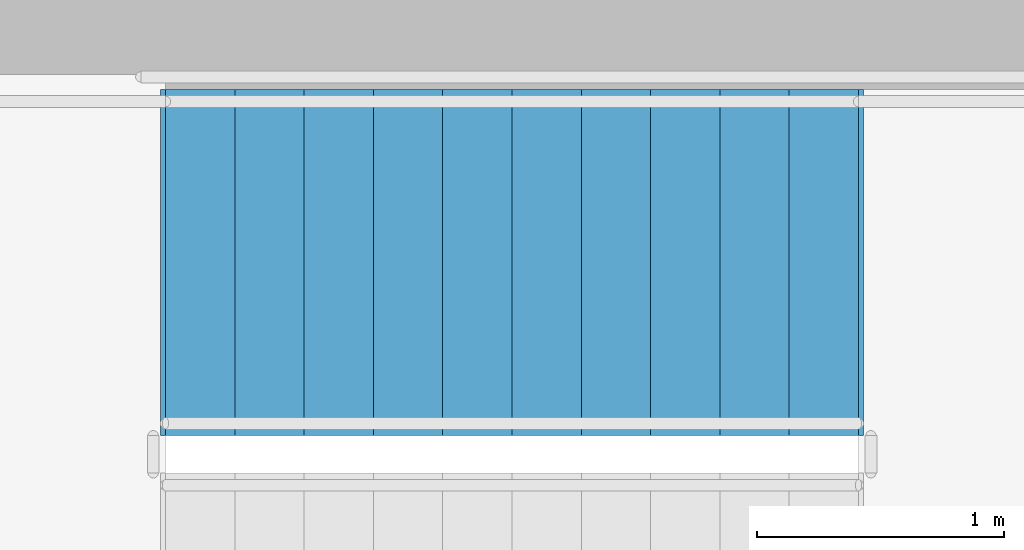
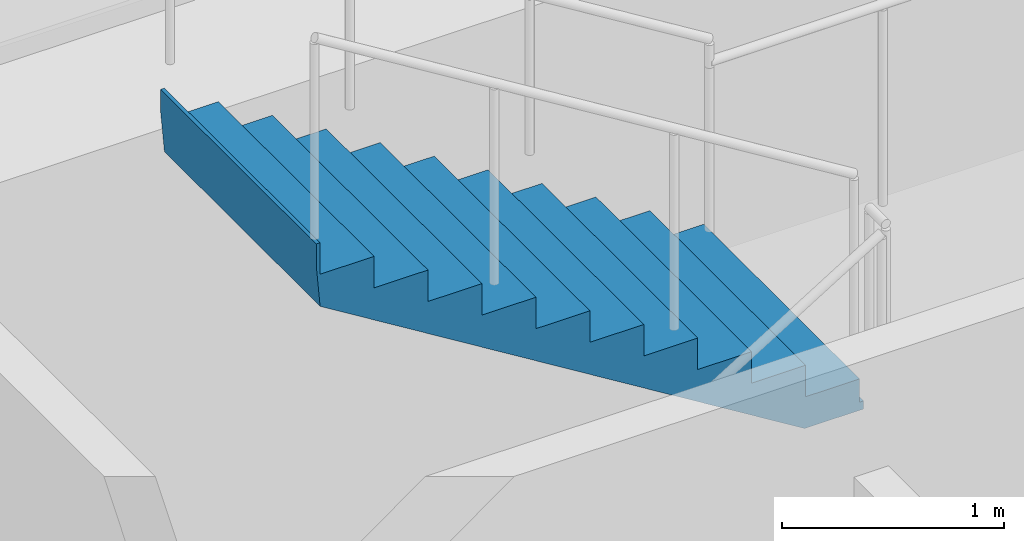
# One storey, part 10 of 15: 1 stair flight, 1 element without a shape of its own.
"""IFC4 building model written with IfcOpenShell, lengths in metres."""

from ifc_helpers import new_model, si_unit, direction, frame, origin, place, context, subcontext, project, spatial, polyline, outline, extrude, material, type_object, element, aggregate, save


model = new_model("IFC4")

# Units and contexts
model_context = context("Model", 3, precision=1e-05, world=origin(), true_north=direction((0.0, 1.0)))
body_context = subcontext(model_context, "Body", "Model", "MODEL_VIEW")
ifc_project = project(units=[si_unit("LENGTHUNIT", "METRE"), si_unit("AREAUNIT", "SQUARE_METRE"), si_unit("VOLUMEUNIT", "CUBIC_METRE"), si_unit("PLANEANGLEUNIT", "RADIAN"), si_unit("MASSUNIT", "GRAM", prefix="KILO")], contexts=[model_context])

# Site, building, storey
site_placement = place(None, origin())
site = spatial("IfcSite", under=ifc_project, at=site_placement, CompositionType="ELEMENT")
building_placement = place(site_placement, origin())
building = spatial("IfcBuilding", under=site, at=building_placement, Name="Valkerne Bourse Tower", CompositionType="ELEMENT")
storey_placement = place(building_placement, frame((0.0, 0.0, 185.60009765625)))
storey = spatial("IfcBuildingStorey", under=building, at=storey_placement, Name="L47", CompositionType="ELEMENT", Elevation=185.60009765625)

# Stair, stair flight
ifc_material = material(Name="Concrete C40/50", Category="concrete")
stair_type = type_object("IfcStairType", Name="ST-CORE-1400", PredefinedType="HALF_TURN_STAIR", material=ifc_material)
stair_placement = place(storey_placement, origin())
stair = element("IfcStair", 1, at=stair_placement, inside=storey, type_object=stair_type, Name="L47 ST-2", PredefinedType="HALF_TURN_STAIR")
stair_flight_type = type_object("IfcStairFlightType", Name="STF-CORE-1400", PredefinedType="STRAIGHT", material=ifc_material)
stair_flight_placement = place(storey_placement, frame((50.949951171875, 34.449951171875, 1.89990234375), z_axis=(0.0, 0.0, 1.0), x_axis=(-1.0, 0.0, 0.0)))
stair_flight = element("IfcStairFlight", 2, at=stair_flight_placement, type_object=stair_flight_type, Name="ST-2 flight 2", NumberOfRisers=11, NumberOfTreads=10, PredefinedType="STRAIGHT", RiserHeight=0.172727273, TreadLength=0.28, context=body_context, shape_type="SweptSolid", body=[
    extrude(outline(polyline([(-0.02001953125, 0.0), (-0.02001953125, 0.044921875), (0.0, 0.044921875), (0.0, 0.172607421875), (0.280029296875, 0.172607421875), (0.280029296875, 0.345458984375), (0.56005859375, 0.345458984375), (0.56005859375, 0.51806640625), (0.840087890625, 0.51806640625), (0.840087890625, 0.69091796875), (1.1201171875, 0.69091796875), (1.1201171875, 0.863525390625), (1.39990234375, 0.863525390625), (1.39990234375, 1.036376953125), (1.679931640625, 1.036376953125), (1.679931640625, 1.208984375), (1.9599609375, 1.208984375), (1.9599609375, 1.3818359375), (2.239990234375, 1.3818359375), (2.239990234375, 1.554443359375), (2.52001953125, 1.554443359375), (2.52001953125, 1.727294921875), (2.800048828125, 1.727294921875), (2.800048828125, 1.89990234375), (2.820068359375, 1.89990234375), (2.820068359375, 1.780029296875), (2.800048828125, 1.551025390625), (0.285400390625, 0.0), (-0.02001953125, 0.0)])), frame((0.0, 0.699951171875, 0.0), z_axis=(0.0, -1.0, 0.0), x_axis=(1.0, 0.0, 0.0)), (0.0, 0.0, 1.0), 1.39990234375),
])
aggregate(stair, [stair_flight])

save(model, "model.ifc")
